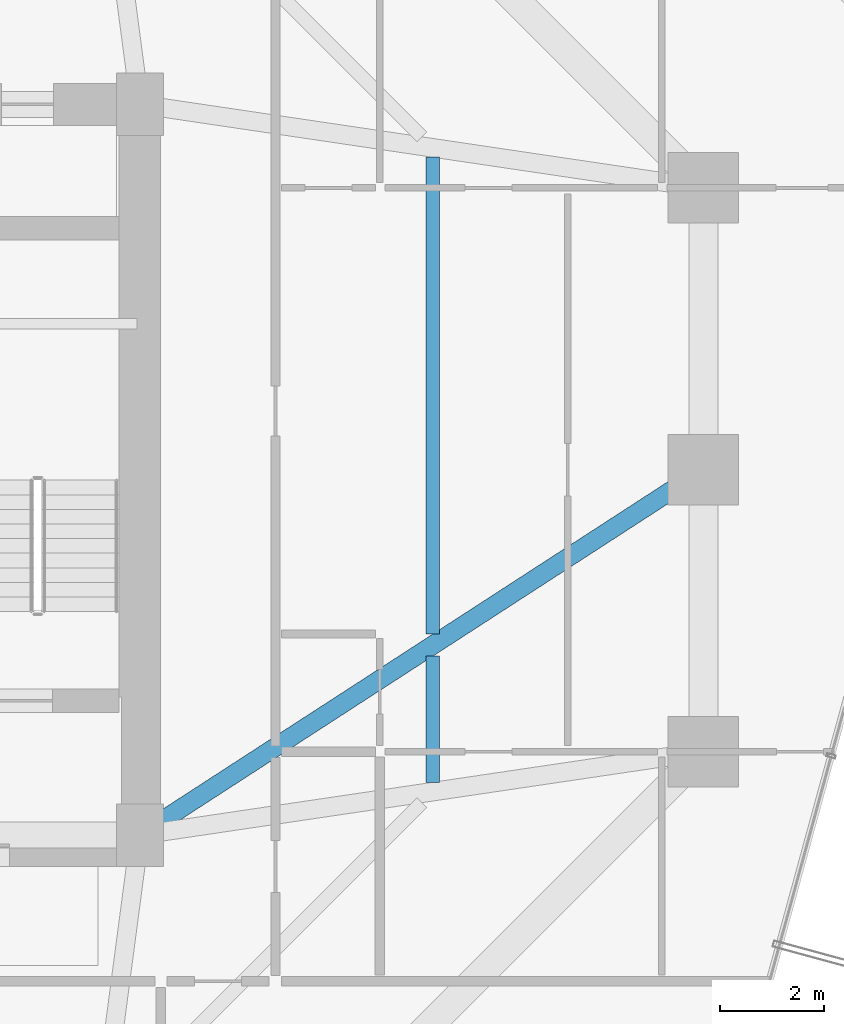
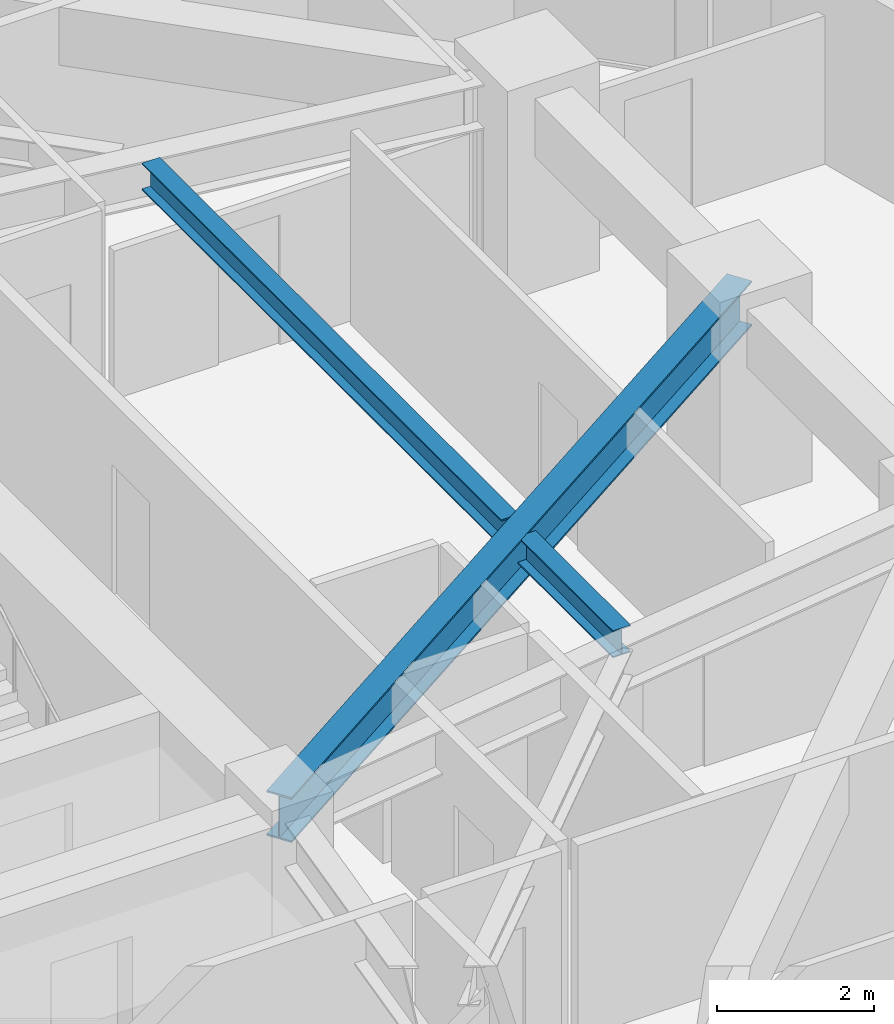
# One storey, part 16 of 39: 3 beams.
"""IFC4 building model written with IfcOpenShell, lengths in metres."""

import ifcopenshell
import ifcopenshell.guid

model = None  # the IFC model being written
_history = None  # IfcOwnerHistory: only IFC2X3 demands one
_inside = {}  # id of a spatial element -> (the spatial element, [elements in it])
_under = {}  # id of a project, library or spatial element -> (it, [spatial elements below it])
_declared = {}  # id of a project -> (the project, [libraries it declares])
_typed = {}  # id of a type object -> (the type object, [elements of that type])
_made_of = {}  # id of a material, layer set ... -> (it, [elements and type objects made of it])


def new_model(schema):
    """Start an empty IFC model of exactly this schema.

    Asked for "IFC4X3", IfcOpenShell would pick the latest addendum, in which some entities
    have other attributes; the version numbers below select the first issue.
    IFC2X3 requires an IfcOwnerHistory on every rooted entity: one is made here for all.
    """
    global model, _history
    if schema == "IFC4X3":
        model = ifcopenshell.file(schema_version=(4, 3, 0, 0))
    else:
        model = ifcopenshell.file(schema=schema)
    _inside.clear()
    _under.clear()
    _declared.clear()
    _typed.clear()
    _made_of.clear()
    _history = None
    if model.schema == "IFC2X3":
        org = make("IfcOrganization", Name="unknown")
        user = make(
            "IfcPersonAndOrganization",
            ThePerson=make("IfcPerson", FamilyName="unknown"),
            TheOrganization=org,
        )
        app = make(
            "IfcApplication",
            ApplicationDeveloper=org,
            Version="unknown",
            ApplicationFullName="unknown",
            ApplicationIdentifier="unknown",
        )
        _history = make(
            "IfcOwnerHistory",
            OwningUser=user,
            OwningApplication=app,
            ChangeAction="ADDED",
            CreationDate=0,
        )
    return model


def make(cls, **values):
    """One entity of the class cls with the attributes given. An attribute that is None is left unset."""
    return model.create_entity(
        cls, **{name: value for name, value in values.items() if value is not None}
    )


def rooted(cls, **values):
    """An entity with a GlobalId (a new one), such as an element, a storey or a relation."""
    return make(cls, GlobalId=ifcopenshell.guid.new(), OwnerHistory=_history, **values)


def si_unit(unit_type, name, prefix=None):
    """IfcSIUnit, for example si_unit("LENGTHUNIT", "METRE", prefix="MILLI")."""
    return make("IfcSIUnit", UnitType=unit_type, Prefix=prefix, Name=name)


def assignment(units):
    """IfcUnitAssignment: the units of a project."""
    return None if units is None else make("IfcUnitAssignment", Units=units)


def point(xyz):
    """IfcCartesianPoint."""
    return None if xyz is None else make("IfcCartesianPoint", Coordinates=xyz)


def direction(xyz):
    """IfcDirection."""
    return None if xyz is None else make("IfcDirection", DirectionRatios=xyz)


def frame(location, z_axis=None, x_axis=None):
    """IfcAxis2Placement3D, a coordinate frame: its origin and axes. An axis left out is left unset."""
    return make(
        "IfcAxis2Placement3D",
        Location=point(location),
        Axis=direction(z_axis),
        RefDirection=direction(x_axis),
    )


def frame_2d(location, x_axis=None):
    """IfcAxis2Placement2D, a coordinate frame in the plane: its origin and x axis."""
    return make(
        "IfcAxis2Placement2D", Location=point(location), RefDirection=direction(x_axis)
    )


def origin():
    """The frame at (0, 0, 0) with its axes left unset."""
    return frame((0.0, 0.0, 0.0))


def origin_2d():
    """The frame at (0, 0) in the plane with its x axis left unset."""
    return frame_2d((0.0, 0.0))


def place(relative_to, where):
    """IfcLocalPlacement: puts the frame where relative to a parent placement (None: the world)."""
    return make(
        "IfcLocalPlacement", PlacementRelTo=relative_to, RelativePlacement=where
    )


def context(
    kind, dimensions, precision=None, world=None, true_north=None, identifier=None
):
    """IfcGeometricRepresentationContext, for example the 3D "Model" context."""
    return make(
        "IfcGeometricRepresentationContext",
        ContextIdentifier=identifier,
        ContextType=kind,
        CoordinateSpaceDimension=dimensions,
        Precision=precision,
        WorldCoordinateSystem=world,
        TrueNorth=true_north,
    )


def subcontext(parent, identifier, kind, view, scale=None):
    """IfcGeometricRepresentationSubContext, for example "Body" below "Model"."""
    return make(
        "IfcGeometricRepresentationSubContext",
        ContextIdentifier=identifier,
        ContextType=kind,
        ParentContext=parent,
        TargetScale=scale,
        TargetView=view,
    )


def project(units=None, contexts=None):
    """IfcProject with its units and contexts."""
    return rooted(
        "IfcProject",
        Name="project",
        RepresentationContexts=contexts,
        UnitsInContext=assignment(units),
    )


def spatial(cls, under=None, at=None, **own):
    """A site, building, storey or space (cls), placed at a placement, below another one or the project."""
    s = rooted(cls, ObjectPlacement=at, **own)
    if under is not None:
        _under.setdefault(under.id(), (under, []))[1].append(s)
    return s


def profile(cls, at=None, kind="AREA", **sizes):
    """A parametric profile (cls). Its sizes go by their IFC names, for example OverallWidth=200.0."""
    return make(cls, ProfileType=kind, Position=at, **sizes)


def i_section(**sizes):
    """IfcIShapeProfileDef."""
    return profile("IfcIShapeProfileDef", **sizes)


def extrude(swept, where, along, depth):
    """IfcExtrudedAreaSolid: the profile swept, set in the frame where, extruded along a direction by depth."""
    return make(
        "IfcExtrudedAreaSolid",
        SweptArea=swept,
        Position=where,
        ExtrudedDirection=direction(along),
        Depth=depth,
    )


def shape(context_of_items, identifier, shape_type, items):
    """IfcShapeRepresentation: the items that make up one representation, for example the "Body"."""
    return make(
        "IfcShapeRepresentation",
        ContextOfItems=context_of_items,
        RepresentationIdentifier=identifier,
        RepresentationType=shape_type,
        Items=items,
    )


def material(Name=None, Category=None):
    """IfcMaterial."""
    return make("IfcMaterial", Name=Name, Category=Category)


def material_profile(
    of_material, cross_section, Name=None, Category=None, Priority=None
):
    """IfcMaterialProfile: a cross section and its material."""
    return make(
        "IfcMaterialProfile",
        Name=Name,
        Material=of_material,
        Profile=cross_section,
        Priority=Priority,
        Category=Category,
    )


def profile_set(profiles, Name=None, composite=None):
    """IfcMaterialProfileSet."""
    return make(
        "IfcMaterialProfileSet",
        Name=Name,
        MaterialProfiles=profiles,
        CompositeProfile=composite,
    )


def made_of(thing, what):
    """Note that an element or type object is made of a material, layer set ...; save() writes the relation."""
    if what is not None:
        _made_of.setdefault(what.id(), (what, []))[1].append(thing)
    return thing


def type_object(cls, material=None, **own):
    """A type object (cls), such as IfcWallType, which elements share."""
    return made_of(rooted(cls, **own), material)


def element(
    cls,
    number,
    at=None,
    inside=None,
    cuts=None,
    type_object=None,
    material=None,
    context=None,
    identifier="Body",
    shape_type=None,
    held_by="IfcProductDefinitionShape",
    body=None,
    shapes=None,
    **own,
):
    """One element of the class cls, such as IfcWall. Its Tag is "e" and its number.

    at: its placement. inside: the storey or other place that contains it. cuts: it is an
    opening in that element (IfcRelVoidsElement). A single representation is given by context,
    identifier, shape_type and body (its items); several are given by shapes. held_by: the class
    of the entity that holds the representations. save() writes the other relations.
    """
    e = rooted(cls, Tag="e%d" % number, ObjectPlacement=at, **own)
    if body is not None:
        shapes = [shape(context, identifier, shape_type, body)]
    if shapes is not None:
        e.Representation = make(held_by, Representations=shapes)
    if inside is not None:
        _inside.setdefault(inside.id(), (inside, []))[1].append(e)
    if cuts is not None:
        rooted(
            "IfcRelVoidsElement", RelatingBuildingElement=cuts, RelatedOpeningElement=e
        )
    if type_object is not None:
        _typed.setdefault(type_object.id(), (type_object, []))[1].append(e)
    return made_of(e, material)


def aggregate(whole, parts):
    """IfcRelAggregates: a whole, such as a stair, and the parts it consists of."""
    return rooted("IfcRelAggregates", RelatingObject=whole, RelatedObjects=parts)


def save(model, path):
    """Write the relations noted so far, then the file.

    IfcRelAggregates (storeys below a building ...), IfcRelContainedInSpatialStructure (elements
    in a storey), IfcRelDefinesByType, IfcRelAssociatesMaterial and IfcRelDeclares: one each for
    every whole, place, type object, material and project.
    """
    for whole, parts in _under.values():
        aggregate(whole, parts)
    for where, things in _inside.values():
        rooted(
            "IfcRelContainedInSpatialStructure",
            RelatedElements=things,
            RelatingStructure=where,
        )
    for kind, things in _typed.values():
        rooted("IfcRelDefinesByType", RelatedObjects=things, RelatingType=kind)
    for what, things in _made_of.values():
        rooted("IfcRelAssociatesMaterial", RelatedObjects=things, RelatingMaterial=what)
    for by, libraries in _declared.values():
        rooted("IfcRelDeclares", RelatingContext=by, RelatedDefinitions=libraries)
    model.write(path)


model = new_model("IFC4")

# Units and contexts
model_context = context("Model", 3, precision=1e-05, world=origin(), true_north=direction((0.0, 1.0)))
body_context = subcontext(model_context, "Body", "Model", "MODEL_VIEW")
ifc_project = project(units=[si_unit("LENGTHUNIT", "METRE"), si_unit("AREAUNIT", "SQUARE_METRE"), si_unit("VOLUMEUNIT", "CUBIC_METRE"), si_unit("PLANEANGLEUNIT", "RADIAN"), si_unit("MASSUNIT", "GRAM", prefix="KILO")], contexts=[model_context])

# Site, building, storey
site_placement = place(None, origin())
site = spatial("IfcSite", under=ifc_project, at=site_placement, CompositionType="ELEMENT")
building_placement = place(site_placement, origin())
building = spatial("IfcBuilding", under=site, at=building_placement, Name="Veraguas Prism Commons", CompositionType="ELEMENT")
storey_placement = place(building_placement, frame((0.0, 0.0, 73.85009765625)))
storey = spatial("IfcBuildingStorey", under=building, at=storey_placement, Name="L20", CompositionType="ELEMENT", Elevation=73.85009765625)

# Beams
ifc_material = material(Name="Steel ASTM A992 Grade 50", Category="steel")
ifc_material_profile_1 = material_profile(ifc_material, i_section(OverallWidth=0.260986328125, OverallDepth=0.419921875, WebThickness=0.01171875, FlangeThickness=0.019287109375, at=origin_2d()), Name="W410X114")
ifc_profile_set_1 = profile_set([ifc_material_profile_1], Name="Steel ASTM A992 Grade 50")
beam_type_1 = type_object("IfcBeamType", Name="Lower Floor Joist W410x114", PredefinedType="JOIST", material=ifc_profile_set_1)
beam_1_placement = place(storey_placement, frame((36.416015625, 18.010009765625, 2.789794921875), z_axis=(0.0, 1.0, 0.0), x_axis=(-1.0, 0.0, 0.0)))
element("IfcBeam", 1, at=beam_1_placement, inside=storey, type_object=beam_type_1, Name="Composite Floor Joist L20-JS01", PredefinedType="JOIST", context=body_context, shape_type="SweptSolid", body=[
    extrude(i_section(OverallWidth=0.260986328125, OverallDepth=0.419921875, WebThickness=0.01171875, FlangeThickness=0.019287109375, at=origin_2d()), origin(), (0.0, 0.0, 1.0), 2.42041015625),
])
beam_2_placement = place(storey_placement, frame((36.416015625, 20.849609375, 2.789794921875), z_axis=(0.0, 1.0, 0.0), x_axis=(-1.0, 0.0, 0.0)))
element("IfcBeam", 2, at=beam_2_placement, inside=storey, type_object=beam_type_1, Name="Composite Floor Joist L20-JS02", PredefinedType="JOIST", context=body_context, shape_type="SweptSolid", body=[
    extrude(i_section(OverallWidth=0.260986328125, OverallDepth=0.419921875, WebThickness=0.01171875, FlangeThickness=0.019287109375, at=origin_2d()), origin(), (0.0, 0.0, 1.0), 9.140380859375),
])
ifc_material_profile_2 = material_profile(ifc_material, i_section(OverallWidth=0.35595703125, OverallDepth=0.700927734375, WebThickness=0.016845703125, FlangeThickness=0.02734375, at=origin_2d()), Name="W690X240")
ifc_profile_set_2 = profile_set([ifc_material_profile_2], Name="Steel ASTM A992 Grade 50")
beam_type_2 = type_object("IfcBeamType", Name="Zone 1 Radial Girder W690x240", PredefinedType="BEAM", material=ifc_profile_set_2)
beam_3_placement = place(storey_placement, frame((41.60009765625, 24.0, 2.6494140625), z_axis=(-0.839154108875, -0.543893722668, 0.0), x_axis=(0.543893722668, -0.839154108875, 0.0)))
element("IfcBeam", 3, at=beam_3_placement, inside=storey, type_object=beam_type_2, Name="Radial Floor Girder L20-RD02", PredefinedType="BEAM", context=body_context, shape_type="SweptSolid", body=[
    extrude(i_section(OverallWidth=0.35595703125, OverallDepth=0.700927734375, WebThickness=0.016845703125, FlangeThickness=0.02734375, at=origin_2d()), origin(), (0.0, 0.0, 1.0), 12.8701171875),
])

save(model, "model.ifc")
